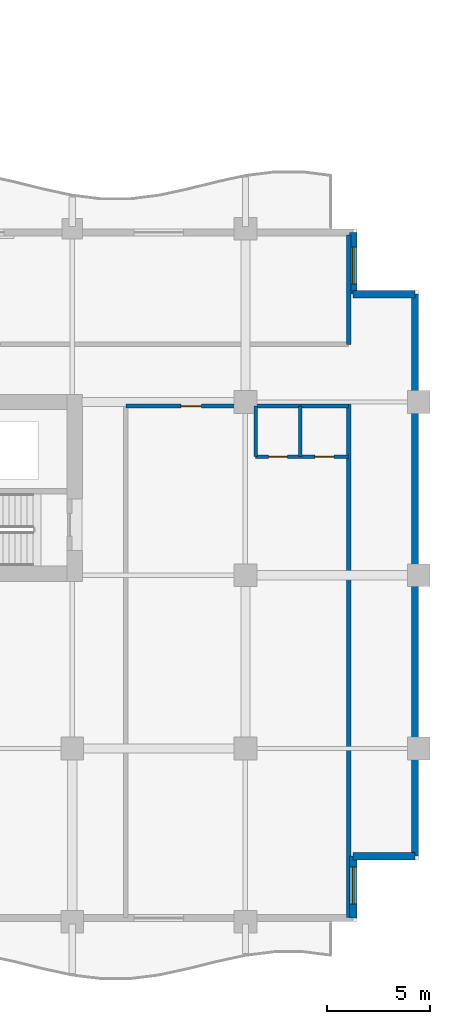
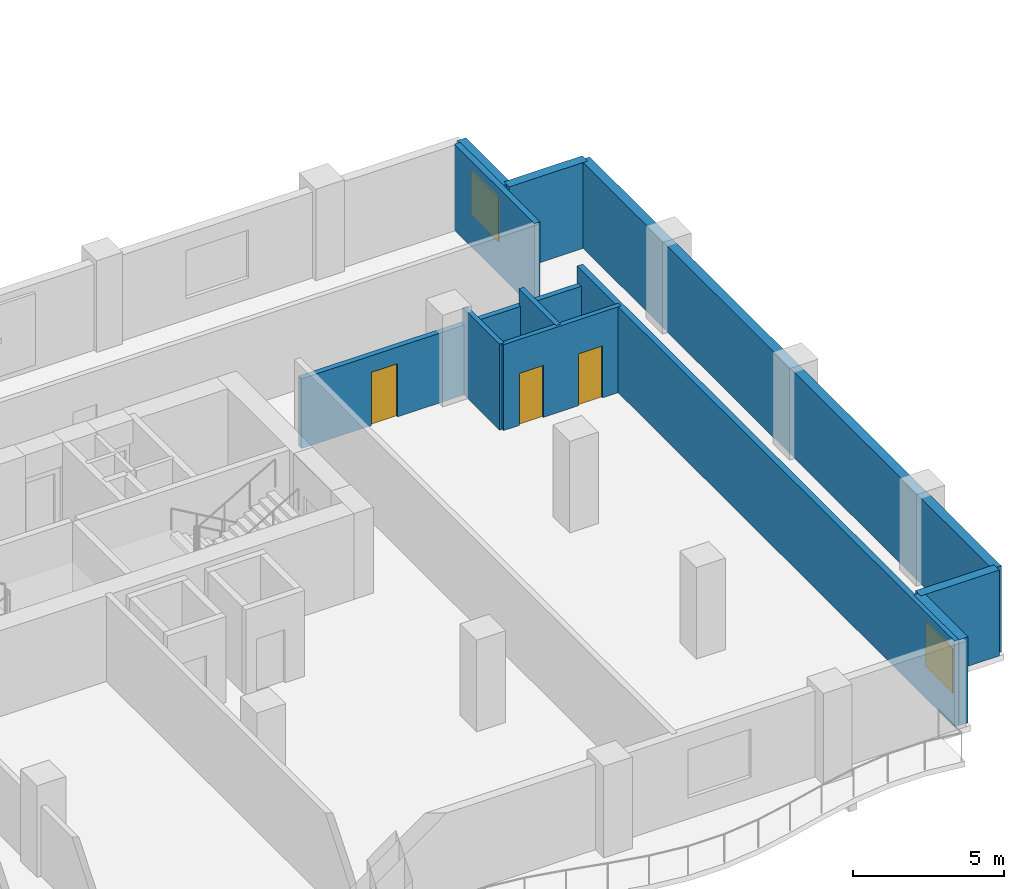
# One storey, part 9 of 16: 11 walls, 3 doors, 2 windows, 5 openings.
"""IFC4 building model written with IfcOpenShell, lengths in metres."""

from ifc_helpers import new_model, si_unit, direction, frame, frame_2d, origin, place, context, subcontext, project, spatial, rectangle, extrude, material, layer, layer_set, type_object, element, fill, save


model = new_model("IFC4")

# Units and contexts
model_context = context("Model", 3, precision=1e-05, world=origin(), true_north=direction((0.0, 1.0)))
body_context = subcontext(model_context, "Body", "Model", "MODEL_VIEW")
ifc_project = project(units=[si_unit("LENGTHUNIT", "METRE"), si_unit("AREAUNIT", "SQUARE_METRE"), si_unit("VOLUMEUNIT", "CUBIC_METRE"), si_unit("PLANEANGLEUNIT", "RADIAN"), si_unit("MASSUNIT", "GRAM", prefix="KILO")], contexts=[model_context])

# Site, building, storey
site_placement = place(None, origin())
site = spatial("IfcSite", under=ifc_project, at=site_placement, CompositionType="ELEMENT")
building_placement = place(site_placement, origin())
building = spatial("IfcBuilding", under=site, at=building_placement, Name="Koriwani Terraces Tower", CompositionType="ELEMENT")
storey_placement = place(building_placement, frame((0.0, 0.0, 171.699951171875)))
storey = spatial("IfcBuildingStorey", under=building, at=storey_placement, Name="L41", CompositionType="ELEMENT", Elevation=171.699951171875)

# Wall, opening, door
ifc_material_1 = material(Name="Autoclaved Cellular Concrete Blockwork", Category="masonry")
ifc_layer_1 = layer(ifc_material_1, 0.199951171875, Name="Autoclaved Cellular Concrete Blockwork")
ifc_layer_set_1 = layer_set([ifc_layer_1], Name="Autoclaved Cellular Concrete Blockwork")
wall_type_1 = type_object("IfcWallType", Name="WALL_CORRIDOR_200", PredefinedType="PARTITIONING", material=ifc_layer_set_1)
wall_1_placement = place(storey_placement, frame((61.39990234375, 25.0, 0.0), z_axis=(0.0, 0.0, 1.0), x_axis=(1.0, 0.0, 0.0)))
wall_1 = element("IfcWall", 1, at=wall_1_placement, inside=storey, type_object=wall_type_1, Name="L41 Interior Wall WRCOR-L41-SE-0", PredefinedType="PARTITIONING", context=body_context, shape_type="SweptSolid", body=[
    extrude(rectangle(XDim=10.800048828125, YDim=0.199951171875, at=frame_2d((5.39990234375, 0.0))), origin(), (0.0, 0.0, 1.0), 2.820068359375),
])
opening_1_placement = place(wall_1_placement, frame((2.669921875, 0.0, 0.0)))
opening_1 = element("IfcOpeningElement", 2, at=opening_1_placement, cuts=wall_1, Name="Opening D-05", PredefinedType="OPENING", context=body_context, shape_type="SweptSolid", body=[
    extrude(rectangle(XDim=1.0, YDim=2.14990234375, at=frame_2d((0.5, 1.074951171875))), frame((0.0, 0.10986328125, 0.0), z_axis=(0.0, -1.0, 0.0), x_axis=(1.0, 0.0, 0.0)), (0.0, 0.0, 1.0), 0.219970703125),
])
ifc_material_2 = material(Name="Architectural Oak Fire Door", Category="wood")
door_type_1 = type_object("IfcDoorType", Name="DOOR_SUITE_ENTRY_1000X2150", OperationType="NOTDEFINED", PredefinedType="DOOR", material=ifc_material_2)
door_1_placement = place(opening_1_placement, origin())
door_1 = element("IfcDoor", 3, at=door_1_placement, inside=storey, type_object=door_type_1, Name="Apartment 41SE1 Entrance Door", OperationType="SINGLE_SWING_LEFT", OverallHeight=2.14990234375, OverallWidth=1.0, PredefinedType="DOOR", context=body_context, shape_type="SweptSolid", body=[
    extrude(rectangle(XDim=1.0, YDim=2.14990234375, at=frame_2d((0.5, 1.074951171875))), frame((0.0, 0.02490234375, 0.0), z_axis=(0.0, -1.0, 0.0), x_axis=(1.0, 0.0, 0.0)), (0.0, 0.0, 1.0), 0.050048828125),
])
fill(opening_1, door_1)

# Walls
ifc_layer_2 = layer(ifc_material_1, 0.219970703125, Name="Autoclaved Cellular Concrete Blockwork")
ifc_layer_set_2 = layer_set([ifc_layer_2], Name="Autoclaved Cellular Concrete Blockwork")
wall_type_2 = type_object("IfcWallType", Name="WALL_DEMISING_220", PredefinedType="PARTITIONING", material=ifc_layer_set_2)
wall_2_placement = place(storey_placement, frame((72.199951171875, 0.199951171875, 0.0), z_axis=(0.0, 0.0, 1.0), x_axis=(0.0, 1.0, 0.0)))
element("IfcWall", 4, at=wall_2_placement, inside=storey, type_object=wall_type_2, Name="L41 Interior Wall WRDEME-L41-SE", PredefinedType="PARTITIONING", context=body_context, shape_type="SweptSolid", body=[
    extrude(rectangle(XDim=24.97998046875, YDim=0.219970703125, at=frame_2d((12.489990234375, 0.0))), origin(), (0.0, 0.0, 1.0), 3.469970703125),
])
wall_3_placement = place(storey_placement, frame((72.199951171875, 28.0, 0.0), z_axis=(0.0, 0.0, 1.0), x_axis=(0.0, 1.0, 0.0)))
element("IfcWall", 5, at=wall_3_placement, inside=storey, type_object=wall_type_2, Name="L41 Interior Wall WSEC-E-L41", PredefinedType="PARTITIONING", context=body_context, shape_type="SweptSolid", body=[
    extrude(rectangle(XDim=5.300048828125, YDim=0.219970703125, at=frame_2d((2.64990234375, 0.0))), origin(), (0.0, 0.0, 1.0), 3.469970703125),
])

# Wall, opening, window
ifc_material_3 = material(Name="Concrete C50/60", Category="concrete")
ifc_layer_3 = layer(ifc_material_3, 0.35009765625, Name="Concrete C50/60")
ifc_layer_set_3 = layer_set([ifc_layer_3], Name="Concrete C50/60")
wall_type_3 = type_object("IfcWallType", Name="WALL_EXT_BRUTALIST_350", PredefinedType="STANDARD", material=ifc_layer_set_3)
wall_4_placement = place(storey_placement, frame((72.425048828125, 33.425048828125, 0.0), z_axis=(0.0, 0.0, 1.0), x_axis=(0.0, -1.0, 0.0)))
wall_4 = element("IfcWall", 6, at=wall_4_placement, inside=storey, type_object=wall_type_3, Name="L41 Fair-Faced Brutalist Exterior Wall (N10)", PredefinedType="STANDARD", context=body_context, shape_type="SweptSolid", body=[
    extrude(rectangle(XDim=3.0, YDim=0.35009765625, at=frame_2d((1.5, 0.0))), origin(), (0.0, 0.0, 1.0), 3.469970703125),
])
opening_2_placement = place(wall_4_placement, frame((0.71240234375, 0.0, 0.85009765625)))
opening_2 = element("IfcOpeningElement", 7, at=opening_2_placement, cuts=wall_4, Name="Opening W-04", PredefinedType="OPENING", context=body_context, shape_type="SweptSolid", body=[
    extrude(rectangle(XDim=1.800048828125, YDim=1.800048828125, at=frame_2d((0.89990234375, 0.89990234375))), frame((0.0, 0.18505859375, 0.0), z_axis=(0.0, -1.0, 0.0), x_axis=(1.0, 0.0, 0.0)), (0.0, 0.0, 1.0), 0.3701171875),
])
ifc_material_4 = material(Name="Tempered Laminated Low-E Glass", Category="glass")
window_type = type_object("IfcWindowType", Name="WIN_RES_BED_1800X1800", PartitioningType="DOUBLE_PANEL_VERTICAL", PredefinedType="WINDOW", material=ifc_material_4)
window_1_placement = place(opening_2_placement, origin())
window_1 = element("IfcWindow", 8, at=window_1_placement, inside=storey, type_object=window_type, Name="L41 Exterior Window (N10-R57)", OverallHeight=1.800048828125, OverallWidth=1.800048828125, PartitioningType="SINGLE_PANEL", PredefinedType="WINDOW", context=body_context, shape_type="SweptSolid", body=[
    extrude(rectangle(XDim=1.800048828125, YDim=1.800048828125, at=frame_2d((0.89990234375, 0.89990234375))), frame((0.0, 0.030029296875, 0.0), z_axis=(0.0, -1.0, 0.0), x_axis=(1.0, 0.0, 0.0)), (0.0, 0.0, 1.0), 0.06005859375),
])
fill(opening_2, window_1)

# Walls
wall_5_placement = place(storey_placement, frame((72.425048828125, 30.425048828125, 0.0), z_axis=(0.0, 0.0, 1.0), x_axis=(1.0, 0.0, 0.0)))
element("IfcWall", 9, at=wall_5_placement, inside=storey, type_object=wall_type_3, Name="L41 Fair-Faced Brutalist Exterior Wall (N11)", PredefinedType="STANDARD", context=body_context, shape_type="SweptSolid", body=[
    extrude(rectangle(XDim=3.0, YDim=0.35009765625, at=frame_2d((1.5, 0.0))), origin(), (0.0, 0.0, 1.0), 3.469970703125),
])
wall_6_placement = place(storey_placement, frame((75.425048828125, 30.425048828125, 0.0), z_axis=(0.0, 0.0, 1.0), x_axis=(0.0, -1.0, 0.0)))
element("IfcWall", 10, at=wall_6_placement, inside=storey, type_object=wall_type_3, Name="L41 Fair-Faced Brutalist Exterior Wall (E_TIP)", PredefinedType="STANDARD", context=body_context, shape_type="SweptSolid", body=[
    extrude(rectangle(XDim=27.25, YDim=0.35009765625, at=frame_2d((13.625, 0.0))), origin(), (0.0, 0.0, 1.0), 3.469970703125),
])
wall_7_placement = place(storey_placement, frame((75.425048828125, 3.175048828125, 0.0), z_axis=(0.0, 0.0, 1.0), x_axis=(-1.0, 0.0, 0.0)))
element("IfcWall", 11, at=wall_7_placement, inside=storey, type_object=wall_type_3, Name="L41 Fair-Faced Brutalist Exterior Wall (N13)", PredefinedType="STANDARD", context=body_context, shape_type="SweptSolid", body=[
    extrude(rectangle(XDim=3.0, YDim=0.35009765625, at=frame_2d((1.5, 0.0))), origin(), (0.0, 0.0, 1.0), 3.469970703125),
])

# Wall, opening, window
wall_8_placement = place(storey_placement, frame((72.425048828125, 3.175048828125, 0.0), z_axis=(0.0, 0.0, 1.0), x_axis=(0.0, -1.0, 0.0)))
wall_8 = element("IfcWall", 12, at=wall_8_placement, inside=storey, type_object=wall_type_3, Name="L41 Fair-Faced Brutalist Exterior Wall (N14)", PredefinedType="STANDARD", context=body_context, shape_type="SweptSolid", body=[
    extrude(rectangle(XDim=3.0, YDim=0.35009765625, at=frame_2d((1.5, 0.0))), origin(), (0.0, 0.0, 1.0), 3.469970703125),
])
opening_3_placement = place(wall_8_placement, frame((0.5224609375, 0.0, 0.85009765625)))
opening_3 = element("IfcOpeningElement", 13, at=opening_3_placement, cuts=wall_8, Name="Opening W-04", PredefinedType="OPENING", context=body_context, shape_type="SweptSolid", body=[
    extrude(rectangle(XDim=1.800048828125, YDim=1.800048828125, at=frame_2d((0.89990234375, 0.89990234375))), frame((0.0, 0.18505859375, 0.0), z_axis=(0.0, -1.0, 0.0), x_axis=(1.0, 0.0, 0.0)), (0.0, 0.0, 1.0), 0.3701171875),
])
window_2_placement = place(opening_3_placement, origin())
window_2 = element("IfcWindow", 14, at=window_2_placement, inside=storey, type_object=window_type, Name="L41 Exterior Window (N14-R56)", OverallHeight=1.800048828125, OverallWidth=1.800048828125, PartitioningType="SINGLE_PANEL", PredefinedType="WINDOW", context=body_context, shape_type="SweptSolid", body=[
    extrude(rectangle(XDim=1.800048828125, YDim=1.800048828125, at=frame_2d((0.89990234375, 0.89990234375))), frame((0.0, 0.030029296875, 0.0), z_axis=(0.0, -1.0, 0.0), x_axis=(1.0, 0.0, 0.0)), (0.0, 0.0, 1.0), 0.06005859375),
])
fill(opening_3, window_2)

# Wall, openings, doors
ifc_material_5 = material(Name="Fire-Rated Acoustic Gypsum Partition", Category="masonry")
ifc_layer_4 = layer(ifc_material_5, 0.179931640625, Name="Fire-Rated Acoustic Gypsum Partition")
ifc_layer_set_4 = layer_set([ifc_layer_4], Name="Fire-Rated Acoustic Gypsum Partition")
wall_type_4 = type_object("IfcWallType", Name="WALL_PLUMBING_180", PredefinedType="PLUMBINGWALL", material=ifc_layer_set_4)
wall_9_placement = place(storey_placement, frame((67.699951171875, 22.550048828125, 0.0), z_axis=(0.0, 0.0, 1.0), x_axis=(1.0, 0.0, 0.0)))
wall_9 = element("IfcWall", 15, at=wall_9_placement, inside=storey, type_object=wall_type_4, Name="L41 Interior Wall WRSVC-L41-SE-0", PredefinedType="PLUMBINGWALL", context=body_context, shape_type="SweptSolid", body=[
    extrude(rectangle(XDim=4.5, YDim=0.179931640625, at=frame_2d((2.25, 0.0))), origin(), (0.0, 0.0, 1.0), 3.469970703125),
])
opening_4_placement = place(wall_9_placement, frame((0.6298828125, 0.0, 0.0)))
opening_4 = element("IfcOpeningElement", 16, at=opening_4_placement, cuts=wall_9, Name="Opening D-07", PredefinedType="OPENING", context=body_context, shape_type="SweptSolid", body=[
    extrude(rectangle(XDim=0.89990234375, YDim=2.10009765625, at=frame_2d((0.449951171875, 1.050048828125))), frame((0.0, 0.10009765625, 0.0), z_axis=(0.0, -1.0, 0.0), x_axis=(1.0, 0.0, 0.0)), (0.0, 0.0, 1.0), 0.199951171875),
])
opening_5_placement = place(wall_9_placement, frame((2.8701171875, 0.0, 0.0)))
opening_5 = element("IfcOpeningElement", 17, at=opening_5_placement, cuts=wall_9, Name="Opening D-06", PredefinedType="OPENING", context=body_context, shape_type="SweptSolid", body=[
    extrude(rectangle(XDim=0.919921875, YDim=2.10009765625, at=frame_2d((0.4599609375, 1.050048828125))), frame((0.0, 0.10009765625, 0.0), z_axis=(0.0, -1.0, 0.0), x_axis=(1.0, 0.0, 0.0)), (0.0, 0.0, 1.0), 0.199951171875),
])
door_type_2 = type_object("IfcDoorType", Name="DOOR_BATH_INT_900X2100", OperationType="NOTDEFINED", PredefinedType="DOOR", material=ifc_material_2)
door_2_placement = place(opening_4_placement, origin())
door_2 = element("IfcDoor", 18, at=door_2_placement, inside=storey, type_object=door_type_2, Name="Apartment 41SE1 Bathroom Door", OperationType="SINGLE_SWING_RIGHT", OverallHeight=2.10009765625, OverallWidth=0.89990234375, PredefinedType="DOOR", context=body_context, shape_type="SweptSolid", body=[
    extrude(rectangle(XDim=0.89990234375, YDim=2.10009765625, at=frame_2d((0.449951171875, 1.050048828125))), frame((0.0, 0.02490234375, 0.0), z_axis=(0.0, -1.0, 0.0), x_axis=(1.0, 0.0, 0.0)), (0.0, 0.0, 1.0), 0.050048828125),
])
fill(opening_4, door_2)
door_type_3 = type_object("IfcDoorType", Name="DOOR_ROOM_INT_920X2100", OperationType="NOTDEFINED", PredefinedType="DOOR", material=ifc_material_2)
door_3_placement = place(opening_5_placement, origin())
door_3 = element("IfcDoor", 19, at=door_3_placement, inside=storey, type_object=door_type_3, Name="Apartment 41SE1 Kitchen Door", OperationType="SINGLE_SWING_LEFT", OverallHeight=2.10009765625, OverallWidth=0.919921875, PredefinedType="DOOR", context=body_context, shape_type="SweptSolid", body=[
    extrude(rectangle(XDim=0.919921875, YDim=2.10009765625, at=frame_2d((0.4599609375, 1.050048828125))), frame((0.0, 0.02490234375, 0.0), z_axis=(0.0, -1.0, 0.0), x_axis=(1.0, 0.0, 0.0)), (0.0, 0.0, 1.0), 0.050048828125),
])
fill(opening_5, door_3)

# Walls
for number, where, z_axis, x_axis, name in (
    (20, (67.699951171875, 22.550048828125, 0.0), (0.0, 0.0, 1.0), (0.0, 1.0, 0.0), "L41 Interior Wall WRSVCS-L41-SE-0"),
    (21, (69.860107421875, 22.550048828125, 0.0), (0.0, 0.0, 1.0), (0.0, 1.0, 0.0), "L41 Interior Wall WRSVCM-L41-SE-0"),
):
    element("IfcWall", number, at=place(storey_placement, frame(where, z_axis=z_axis, x_axis=x_axis)), inside=storey, type_object=wall_type_4, Name=name, PredefinedType="PLUMBINGWALL", context=body_context, shape_type="SweptSolid", body=[
        extrude(rectangle(XDim=2.449951171875, YDim=0.179931640625, at=frame_2d((1.22509765625, 0.0))), origin(), (0.0, 0.0, 1.0), 3.469970703125),
    ])

save(model, "model.ifc")
